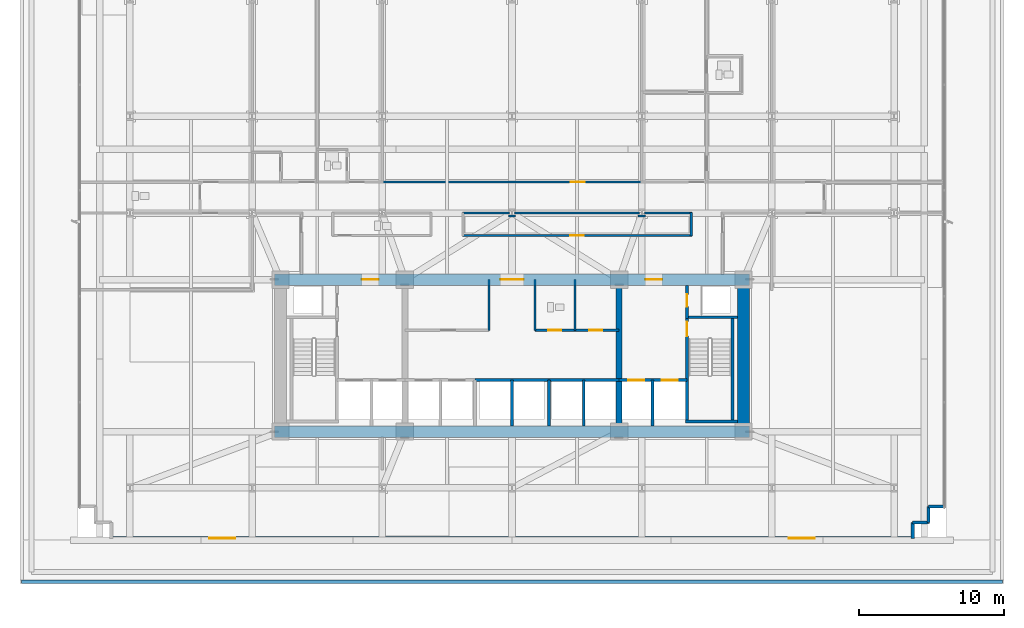
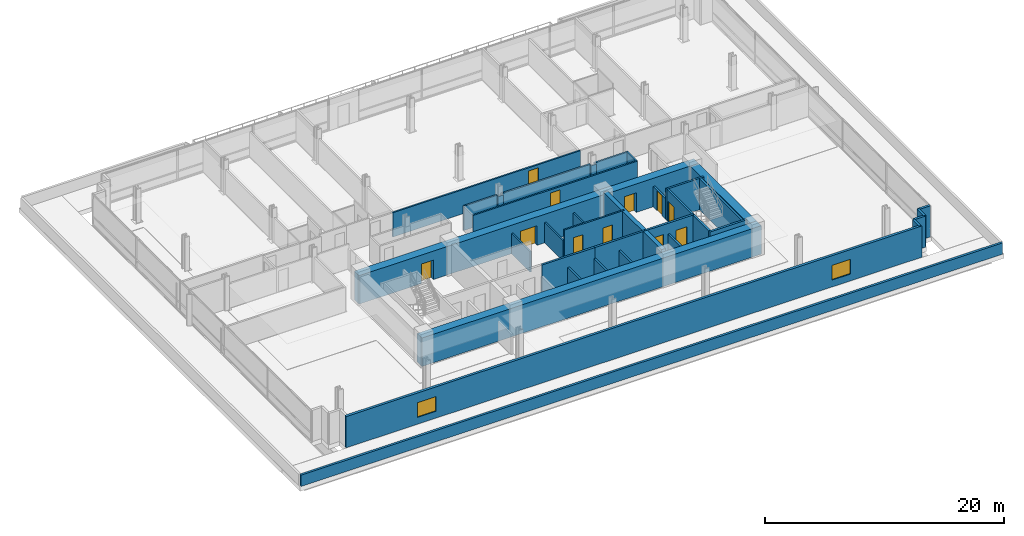
# One storey, part 19 of 25: 34 walls, 11 doors, 2 windows, 13 openings.
"""IFC4 building model written with IfcOpenShell, lengths in metres."""

import ifcopenshell
import ifcopenshell.guid

model = None  # the IFC model being written
_history = None  # IfcOwnerHistory: only IFC2X3 demands one
_inside = {}  # id of a spatial element -> (the spatial element, [elements in it])
_under = {}  # id of a project, library or spatial element -> (it, [spatial elements below it])
_declared = {}  # id of a project -> (the project, [libraries it declares])
_typed = {}  # id of a type object -> (the type object, [elements of that type])
_made_of = {}  # id of a material, layer set ... -> (it, [elements and type objects made of it])


def new_model(schema):
    """Start an empty IFC model of exactly this schema.

    Asked for "IFC4X3", IfcOpenShell would pick the latest addendum, in which some entities
    have other attributes; the version numbers below select the first issue.
    IFC2X3 requires an IfcOwnerHistory on every rooted entity: one is made here for all.
    """
    global model, _history
    if schema == "IFC4X3":
        model = ifcopenshell.file(schema_version=(4, 3, 0, 0))
    else:
        model = ifcopenshell.file(schema=schema)
    _inside.clear()
    _under.clear()
    _declared.clear()
    _typed.clear()
    _made_of.clear()
    _history = None
    if model.schema == "IFC2X3":
        org = make("IfcOrganization", Name="unknown")
        user = make(
            "IfcPersonAndOrganization",
            ThePerson=make("IfcPerson", FamilyName="unknown"),
            TheOrganization=org,
        )
        app = make(
            "IfcApplication",
            ApplicationDeveloper=org,
            Version="unknown",
            ApplicationFullName="unknown",
            ApplicationIdentifier="unknown",
        )
        _history = make(
            "IfcOwnerHistory",
            OwningUser=user,
            OwningApplication=app,
            ChangeAction="ADDED",
            CreationDate=0,
        )
    return model


def make(cls, **values):
    """One entity of the class cls with the attributes given. An attribute that is None is left unset."""
    return model.create_entity(
        cls, **{name: value for name, value in values.items() if value is not None}
    )


def rooted(cls, **values):
    """An entity with a GlobalId (a new one), such as an element, a storey or a relation."""
    return make(cls, GlobalId=ifcopenshell.guid.new(), OwnerHistory=_history, **values)


def si_unit(unit_type, name, prefix=None):
    """IfcSIUnit, for example si_unit("LENGTHUNIT", "METRE", prefix="MILLI")."""
    return make("IfcSIUnit", UnitType=unit_type, Prefix=prefix, Name=name)


def assignment(units):
    """IfcUnitAssignment: the units of a project."""
    return None if units is None else make("IfcUnitAssignment", Units=units)


def point(xyz):
    """IfcCartesianPoint."""
    return None if xyz is None else make("IfcCartesianPoint", Coordinates=xyz)


def direction(xyz):
    """IfcDirection."""
    return None if xyz is None else make("IfcDirection", DirectionRatios=xyz)


def frame(location, z_axis=None, x_axis=None):
    """IfcAxis2Placement3D, a coordinate frame: its origin and axes. An axis left out is left unset."""
    return make(
        "IfcAxis2Placement3D",
        Location=point(location),
        Axis=direction(z_axis),
        RefDirection=direction(x_axis),
    )


def frame_2d(location, x_axis=None):
    """IfcAxis2Placement2D, a coordinate frame in the plane: its origin and x axis."""
    return make(
        "IfcAxis2Placement2D", Location=point(location), RefDirection=direction(x_axis)
    )


def origin():
    """The frame at (0, 0, 0) with its axes left unset."""
    return frame((0.0, 0.0, 0.0))


def place(relative_to, where):
    """IfcLocalPlacement: puts the frame where relative to a parent placement (None: the world)."""
    return make(
        "IfcLocalPlacement", PlacementRelTo=relative_to, RelativePlacement=where
    )


def context(
    kind, dimensions, precision=None, world=None, true_north=None, identifier=None
):
    """IfcGeometricRepresentationContext, for example the 3D "Model" context."""
    return make(
        "IfcGeometricRepresentationContext",
        ContextIdentifier=identifier,
        ContextType=kind,
        CoordinateSpaceDimension=dimensions,
        Precision=precision,
        WorldCoordinateSystem=world,
        TrueNorth=true_north,
    )


def subcontext(parent, identifier, kind, view, scale=None):
    """IfcGeometricRepresentationSubContext, for example "Body" below "Model"."""
    return make(
        "IfcGeometricRepresentationSubContext",
        ContextIdentifier=identifier,
        ContextType=kind,
        ParentContext=parent,
        TargetScale=scale,
        TargetView=view,
    )


def project(units=None, contexts=None):
    """IfcProject with its units and contexts."""
    return rooted(
        "IfcProject",
        Name="project",
        RepresentationContexts=contexts,
        UnitsInContext=assignment(units),
    )


def spatial(cls, under=None, at=None, **own):
    """A site, building, storey or space (cls), placed at a placement, below another one or the project."""
    s = rooted(cls, ObjectPlacement=at, **own)
    if under is not None:
        _under.setdefault(under.id(), (under, []))[1].append(s)
    return s


def profile(cls, at=None, kind="AREA", **sizes):
    """A parametric profile (cls). Its sizes go by their IFC names, for example OverallWidth=200.0."""
    return make(cls, ProfileType=kind, Position=at, **sizes)


def rectangle(**sizes):
    """IfcRectangleProfileDef."""
    return profile("IfcRectangleProfileDef", **sizes)


def extrude(swept, where, along, depth):
    """IfcExtrudedAreaSolid: the profile swept, set in the frame where, extruded along a direction by depth."""
    return make(
        "IfcExtrudedAreaSolid",
        SweptArea=swept,
        Position=where,
        ExtrudedDirection=direction(along),
        Depth=depth,
    )


def shape(context_of_items, identifier, shape_type, items):
    """IfcShapeRepresentation: the items that make up one representation, for example the "Body"."""
    return make(
        "IfcShapeRepresentation",
        ContextOfItems=context_of_items,
        RepresentationIdentifier=identifier,
        RepresentationType=shape_type,
        Items=items,
    )


def material(Name=None, Category=None):
    """IfcMaterial."""
    return make("IfcMaterial", Name=Name, Category=Category)


def layer(
    of_material, thickness, ventilated=None, Name=None, Category=None, Priority=None
):
    """IfcMaterialLayer: one layer of a wall or slab, of a material (None: an air gap)."""
    return make(
        "IfcMaterialLayer",
        Material=of_material,
        LayerThickness=thickness,
        IsVentilated=ventilated,
        Name=Name,
        Category=Category,
        Priority=Priority,
    )


def layer_set(layers, Name=None):
    """IfcMaterialLayerSet."""
    return make("IfcMaterialLayerSet", MaterialLayers=layers, LayerSetName=Name)


def made_of(thing, what):
    """Note that an element or type object is made of a material, layer set ...; save() writes the relation."""
    if what is not None:
        _made_of.setdefault(what.id(), (what, []))[1].append(thing)
    return thing


def type_object(cls, material=None, **own):
    """A type object (cls), such as IfcWallType, which elements share."""
    return made_of(rooted(cls, **own), material)


def element(
    cls,
    number,
    at=None,
    inside=None,
    cuts=None,
    type_object=None,
    material=None,
    context=None,
    identifier="Body",
    shape_type=None,
    held_by="IfcProductDefinitionShape",
    body=None,
    shapes=None,
    **own,
):
    """One element of the class cls, such as IfcWall. Its Tag is "e" and its number.

    at: its placement. inside: the storey or other place that contains it. cuts: it is an
    opening in that element (IfcRelVoidsElement). A single representation is given by context,
    identifier, shape_type and body (its items); several are given by shapes. held_by: the class
    of the entity that holds the representations. save() writes the other relations.
    """
    e = rooted(cls, Tag="e%d" % number, ObjectPlacement=at, **own)
    if body is not None:
        shapes = [shape(context, identifier, shape_type, body)]
    if shapes is not None:
        e.Representation = make(held_by, Representations=shapes)
    if inside is not None:
        _inside.setdefault(inside.id(), (inside, []))[1].append(e)
    if cuts is not None:
        rooted(
            "IfcRelVoidsElement", RelatingBuildingElement=cuts, RelatedOpeningElement=e
        )
    if type_object is not None:
        _typed.setdefault(type_object.id(), (type_object, []))[1].append(e)
    return made_of(e, material)


def fill(opening, filler):
    """IfcRelFillsElement: the door or window that sits in an opening."""
    return rooted(
        "IfcRelFillsElement",
        RelatingOpeningElement=opening,
        RelatedBuildingElement=filler,
    )


def aggregate(whole, parts):
    """IfcRelAggregates: a whole, such as a stair, and the parts it consists of."""
    return rooted("IfcRelAggregates", RelatingObject=whole, RelatedObjects=parts)


def save(model, path):
    """Write the relations noted so far, then the file.

    IfcRelAggregates (storeys below a building ...), IfcRelContainedInSpatialStructure (elements
    in a storey), IfcRelDefinesByType, IfcRelAssociatesMaterial and IfcRelDeclares: one each for
    every whole, place, type object, material and project.
    """
    for whole, parts in _under.values():
        aggregate(whole, parts)
    for where, things in _inside.values():
        rooted(
            "IfcRelContainedInSpatialStructure",
            RelatedElements=things,
            RelatingStructure=where,
        )
    for kind, things in _typed.values():
        rooted("IfcRelDefinesByType", RelatedObjects=things, RelatingType=kind)
    for what, things in _made_of.values():
        rooted("IfcRelAssociatesMaterial", RelatedObjects=things, RelatingMaterial=what)
    for by, libraries in _declared.values():
        rooted("IfcRelDeclares", RelatingContext=by, RelatedDefinitions=libraries)
    model.write(path)


model = new_model("IFC4")

# Units and contexts
model_context = context("Model", 3, precision=1e-05, world=origin(), true_north=direction((0.0, 1.0)))
body_context = subcontext(model_context, "Body", "Model", "MODEL_VIEW")
ifc_project = project(units=[si_unit("LENGTHUNIT", "METRE"), si_unit("AREAUNIT", "SQUARE_METRE"), si_unit("VOLUMEUNIT", "CUBIC_METRE"), si_unit("PLANEANGLEUNIT", "RADIAN"), si_unit("MASSUNIT", "GRAM", prefix="KILO")], contexts=[model_context])

# Site, building, storey
site_placement = place(None, origin())
site = spatial("IfcSite", under=ifc_project, at=site_placement, CompositionType="ELEMENT")
building_placement = place(site_placement, origin())
building = spatial("IfcBuilding", under=site, at=building_placement, Name="Solmavex Isthmus Hotel", CompositionType="ELEMENT")
storey_placement = place(building_placement, frame((0.0, 0.0, 26.39990234375)))
storey = spatial("IfcBuildingStorey", under=building, at=storey_placement, Name="L06", CompositionType="ELEMENT", Elevation=26.39990234375)

# Wall
ifc_material_1 = material(Name="Precast Concrete C40/50", Category="concrete")
ifc_layer_1 = layer(ifc_material_1, 0.219970703125)
ifc_layer_set_1 = layer_set([ifc_layer_1], Name="Precast Concrete C40/50")
wall_type_1 = type_object("IfcWallType", Name="EW-PAR-220", PredefinedType="PARAPET", material=ifc_layer_set_1)
wall_1_placement = place(storey_placement, frame((-33.8798828125, -23.3798828125, 0.0), z_axis=(0.0, 0.0, 1.0), x_axis=(1.0, 0.0, 0.0)))
element("IfcWall", 1, at=wall_1_placement, inside=storey, type_object=wall_type_1, Name="Podium Roof Maintenance Parapet S", PredefinedType="PARAPET", context=body_context, shape_type="SweptSolid", body=[
    extrude(rectangle(XDim=67.759765625, YDim=0.219970703125, at=frame_2d((33.8798828125, 0.0))), origin(), (0.0, 0.0, 1.0), 1.150146484375),
])

# Wall, openings, windows
ifc_layer_2 = layer(ifc_material_1, 0.25)
ifc_layer_set_2 = layer_set([ifc_layer_2], Name="Precast Concrete C40/50")
wall_type_2 = type_object("IfcWallType", Name="EW-TWR-250", PredefinedType="STANDARD", material=ifc_layer_set_2)
wall_2_placement = place(storey_placement, frame((-27.800048828125, -20.3798828125, 0.0), z_axis=(0.0, 0.0, 1.0), x_axis=(1.0, 0.0, 0.0)))
wall_2 = element("IfcWall", 2, at=wall_2_placement, inside=storey, type_object=wall_type_2, Name="Tower Rear South Facade Wall L06", PredefinedType="STANDARD", context=body_context, shape_type="SweptSolid", body=[
    extrude(rectangle(XDim=55.60009765625, YDim=0.239990234375, at=frame_2d((27.800048828125, 0.0))), origin(), (0.0, 0.0, 1.0), 3.190185546875),
])
opening_1_placement = place(wall_2_placement, frame((6.884033203125, 0.0, 0.699951171875)))
opening_1 = element("IfcOpeningElement", 3, at=opening_1_placement, cuts=wall_2, Name="Opening WN-02", PredefinedType="OPENING", context=body_context, shape_type="SweptSolid", body=[
    extrude(rectangle(XDim=1.800048828125, YDim=1.5, at=frame_2d((0.89990234375, 0.75))), frame((0.0, 0.1298828125, 0.0), z_axis=(0.0, -1.0, 0.0), x_axis=(1.0, 0.0, 0.0)), (0.0, 0.0, 1.0), 0.260009765625),
])
opening_2_placement = place(wall_2_placement, frame((46.916015625, 0.0, 0.699951171875)))
opening_2 = element("IfcOpeningElement", 4, at=opening_2_placement, cuts=wall_2, Name="Opening WN-02", PredefinedType="OPENING", context=body_context, shape_type="SweptSolid", body=[
    extrude(rectangle(XDim=1.800048828125, YDim=1.5, at=frame_2d((0.89990234375, 0.75))), frame((0.0, 0.1298828125, 0.0), z_axis=(0.0, -1.0, 0.0), x_axis=(1.0, 0.0, 0.0)), (0.0, 0.0, 1.0), 0.260009765625),
])
ifc_material_2 = material(Name="Clear low-E laminated glass", Category="glass")
window_type = type_object("IfcWindowType", Name="WIN-TWR-1800", PartitioningType="SINGLE_PANEL", PredefinedType="WINDOW", material=ifc_material_2)
window_1_placement = place(opening_1_placement, origin())
window_1 = element("IfcWindow", 5, at=window_1_placement, inside=storey, type_object=window_type, Name="South Facade Vision Window L06-S1", OverallHeight=1.5, OverallWidth=1.800048828125, PartitioningType="SINGLE_PANEL", PredefinedType="WINDOW", context=body_context, shape_type="SweptSolid", body=[
    extrude(rectangle(XDim=1.800048828125, YDim=1.5, at=frame_2d((0.89990234375, 0.75))), frame((0.0, 0.030029296875, 0.0), z_axis=(0.0, -1.0, 0.0), x_axis=(1.0, 0.0, 0.0)), (0.0, 0.0, 1.0), 0.06005859375),
])
fill(opening_1, window_1)
window_2_placement = place(opening_2_placement, origin())
window_2 = element("IfcWindow", 6, at=window_2_placement, inside=storey, type_object=window_type, Name="South Facade Vision Window L06-S2", OverallHeight=1.5, OverallWidth=1.800048828125, PartitioningType="SINGLE_PANEL", PredefinedType="WINDOW", context=body_context, shape_type="SweptSolid", body=[
    extrude(rectangle(XDim=1.800048828125, YDim=1.5, at=frame_2d((0.89990234375, 0.75))), frame((0.0, 0.030029296875, 0.0), z_axis=(0.0, -1.0, 0.0), x_axis=(1.0, 0.0, 0.0)), (0.0, 0.0, 1.0), 0.06005859375),
])
fill(opening_2, window_2)

# Walls
wall_3_placement = place(storey_placement, frame((29.889892578125, -18.18994140625, 0.0), z_axis=(0.0, 0.0, 1.0), x_axis=(-1.0, 0.0, 0.0)))
element("IfcWall", 7, at=wall_3_placement, inside=storey, type_object=wall_type_2, Name="Serrated Corner Facade Panel L06-16", PredefinedType="STANDARD", context=body_context, shape_type="SweptSolid", body=[
    extrude(rectangle(XDim=1.099853515625, YDim=0.219970703125, at=frame_2d((0.5498046875, 0.0))), origin(), (0.0, 0.0, 1.0), 3.190185546875),
])
for number, where, z_axis, x_axis, name in (
    (8, (28.7900390625, -18.18994140625, 0.0), (0.0, 0.0, 1.0), (0.0, -1.0, 0.0), "Serrated Corner Facade Panel L06-17"),
    (9, (28.7900390625, -19.2900390625, 0.0), (0.0, 0.0, 1.0), (-1.0, 0.0, 0.0), "Serrated Corner Facade Panel L06-18"),
):
    element("IfcWall", number, at=place(storey_placement, frame(where, z_axis=z_axis, x_axis=x_axis)), inside=storey, type_object=wall_type_2, Name=name, PredefinedType="STANDARD", context=body_context, shape_type="SweptSolid", body=[
        extrude(rectangle(XDim=1.10009765625, YDim=0.219970703125, at=frame_2d((0.550048828125, 0.0))), origin(), (0.0, 0.0, 1.0), 3.190185546875),
    ])
wall_4_placement = place(storey_placement, frame((27.68994140625, -19.2900390625, 0.0), z_axis=(0.0, 0.0, 1.0), x_axis=(0.0, -1.0, 0.0)))
element("IfcWall", 10, at=wall_4_placement, inside=storey, type_object=wall_type_2, Name="Serrated Corner Facade Panel L06-19", PredefinedType="STANDARD", context=body_context, shape_type="SweptSolid", body=[
    extrude(rectangle(XDim=1.099853515625, YDim=0.219970703125, at=frame_2d((0.5498046875, 0.0))), origin(), (0.0, 0.0, 1.0), 3.190185546875),
])
ifc_material_3 = material(Name="Gypsum plasterboard lining", Category="gypsum")
ifc_layer_3 = layer(ifc_material_3, 0.14990234375)
ifc_layer_set_3 = layer_set([ifc_layer_3], Name="Gypsum plasterboard lining")
wall_type_3 = type_object("IfcWallType", Name="IW-CORR-150", PredefinedType="PARTITIONING", material=ifc_layer_set_3)
wall_5_placement = place(storey_placement, frame((-1.60009765625, -6.0, 0.0), z_axis=(0.0, 0.0, 1.0), x_axis=(0.0, 1.0, 0.0)))
element("IfcWall", 11, at=wall_5_placement, inside=storey, type_object=wall_type_3, Name="Interior Partition Wall W-L06-BOH-WE", PredefinedType="PARTITIONING", context=body_context, shape_type="SweptSolid", body=[
    extrude(rectangle(XDim=3.5, YDim=0.14990234375, at=frame_2d((1.75, 0.0))), origin(), (0.0, 0.0, 1.0), 2.0751953125),
])

# Wall, openings, doors
wall_6_placement = place(storey_placement, frame((1.60009765625, -6.0, 0.0), z_axis=(0.0, 0.0, 1.0), x_axis=(1.0, 0.0, 0.0)))
wall_6 = element("IfcWall", 12, at=wall_6_placement, inside=storey, type_object=wall_type_3, Name="Interior Partition Wall W-L06-BOH-ES", PredefinedType="PARTITIONING", context=body_context, shape_type="SweptSolid", body=[
    extrude(rectangle(XDim=5.7998046875, YDim=0.14990234375, at=frame_2d((2.89990234375, 0.0))), origin(), (0.0, 0.0, 1.0), 3.190185546875),
])
opening_3_placement = place(wall_6_placement, frame((0.89990234375, 0.0, 0.0)))
opening_3 = element("IfcOpeningElement", 13, at=opening_3_placement, cuts=wall_6, Name="Opening ID-C090", PredefinedType="OPENING", context=body_context, shape_type="SweptSolid", body=[
    extrude(rectangle(XDim=0.89990234375, YDim=2.10009765625, at=frame_2d((0.449951171875, 1.050048828125))), frame((0.0, 0.0849609375, 0.0), z_axis=(0.0, -1.0, 0.0), x_axis=(1.0, 0.0, 0.0)), (0.0, 0.0, 1.0), 0.169921875),
])
opening_4_placement = place(wall_6_placement, frame((3.75, 0.0, 0.0)))
opening_4 = element("IfcOpeningElement", 14, at=opening_4_placement, cuts=wall_6, Name="Opening ID-C090", PredefinedType="OPENING", context=body_context, shape_type="SweptSolid", body=[
    extrude(rectangle(XDim=0.89990234375, YDim=2.10009765625, at=frame_2d((0.449951171875, 1.050048828125))), frame((0.0, 0.0849609375, 0.0), z_axis=(0.0, -1.0, 0.0), x_axis=(1.0, 0.0, 0.0)), (0.0, 0.0, 1.0), 0.169921875),
])
ifc_material_4 = material(Name="Hardwood timber", Category="wood")
door_type_1 = type_object("IfcDoorType", Name="IDR-FD60-0900", OperationType="NOTDEFINED", PredefinedType="DOOR", material=ifc_material_4)
door_1_placement = place(opening_3_placement, frame((0.89990234375, 0.0, 0.0), z_axis=(0.0, 0.0, 1.0), x_axis=(-1.0, 0.0, 0.0)))
door_1 = element("IfcDoor", 15, at=door_1_placement, inside=storey, type_object=door_type_1, Name="Staff WC Door L06", OperationType="SINGLE_SWING_RIGHT", OverallHeight=2.10009765625, OverallWidth=0.89990234375, PredefinedType="DOOR", context=body_context, shape_type="SweptSolid", body=[
    extrude(rectangle(XDim=0.89990234375, YDim=2.10009765625, at=frame_2d((0.449951171875, 1.050048828125))), frame((0.0, 0.02490234375, 0.0), z_axis=(0.0, -1.0, 0.0), x_axis=(1.0, 0.0, 0.0)), (0.0, 0.0, 1.0), 0.050048828125),
])
fill(opening_3, door_1)
door_2_placement = place(opening_4_placement, frame((0.89990234375, 0.0, 0.0), z_axis=(0.0, 0.0, 1.0), x_axis=(-1.0, 0.0, 0.0)))
door_2 = element("IfcDoor", 16, at=door_2_placement, inside=storey, type_object=door_type_1, Name="Pantry Door L06", OperationType="SINGLE_SWING_LEFT", OverallHeight=2.10009765625, OverallWidth=0.89990234375, PredefinedType="DOOR", context=body_context, shape_type="SweptSolid", body=[
    extrude(rectangle(XDim=0.89990234375, YDim=2.10009765625, at=frame_2d((0.449951171875, 1.050048828125))), frame((0.0, 0.02490234375, 0.0), z_axis=(0.0, -1.0, 0.0), x_axis=(1.0, 0.0, 0.0)), (0.0, 0.0, 1.0), 0.050048828125),
])
fill(opening_4, door_2)

# Wall
wall_7_placement = place(storey_placement, frame((1.60009765625, -6.0, 0.0), z_axis=(0.0, 0.0, 1.0), x_axis=(0.0, 1.0, 0.0)))
element("IfcWall", 17, at=wall_7_placement, inside=storey, type_object=wall_type_3, Name="Interior Partition Wall W-L06-BOH-EW", PredefinedType="PARTITIONING", context=body_context, shape_type="SweptSolid", body=[
    extrude(rectangle(XDim=3.5, YDim=0.14990234375, at=frame_2d((1.75, 0.0))), origin(), (0.0, 0.0, 1.0), 2.0751953125),
])

# Wall, opening, door
wall_8_placement = place(storey_placement, frame((-9.05810546875, 4.25, 0.0), z_axis=(0.0, 0.0, 1.0), x_axis=(1.0, 0.0, 0.0)))
wall_8 = element("IfcWall", 18, at=wall_8_placement, inside=storey, type_object=wall_type_3, Name="Interior Partition Wall W-L06-P006", PredefinedType="PARTITIONING", context=body_context, shape_type="SweptSolid", body=[
    extrude(rectangle(XDim=18.1162109375, YDim=0.14990234375, at=frame_2d((9.05810546875, 0.0))), origin(), (0.0, 0.0, 1.0), 2.4794921875),
])
opening_5_placement = place(wall_8_placement, frame((13.128173828125, 0.0, 0.0)))
opening_5 = element("IfcOpeningElement", 19, at=opening_5_placement, cuts=wall_8, Name="Opening ID-C095", PredefinedType="OPENING", context=body_context, shape_type="SweptSolid", body=[
    extrude(rectangle(XDim=0.949951171875, YDim=2.14990234375, at=frame_2d((0.47509765625, 1.074951171875))), frame((0.0, 0.0849609375, 0.0), z_axis=(0.0, -1.0, 0.0), x_axis=(1.0, 0.0, 0.0)), (0.0, 0.0, 1.0), 0.169921875),
])
door_type_2 = type_object("IfcDoorType", Name="IDR-FD60-0950", OperationType="NOTDEFINED", PredefinedType="DOOR", material=ifc_material_4)
door_3_placement = place(opening_5_placement, origin())
door_3 = element("IfcDoor", 20, at=door_3_placement, inside=storey, type_object=door_type_2, Name="Corporate Briefing Office Door L06-06", OperationType="SINGLE_SWING_RIGHT", OverallHeight=2.14990234375, OverallWidth=0.949951171875, PredefinedType="DOOR", context=body_context, shape_type="SweptSolid", body=[
    extrude(rectangle(XDim=0.949951171875, YDim=2.14990234375, at=frame_2d((0.47509765625, 1.074951171875))), frame((0.0, 0.02490234375, 0.0), z_axis=(0.0, -1.0, 0.0), x_axis=(1.0, 0.0, 0.0)), (0.0, 0.0, 1.0), 0.050048828125),
])
fill(opening_5, door_3)

# Walls
wall_9_placement = place(storey_placement, frame((0.2548828125, 1.885009765625, 0.0), z_axis=(0.0, 0.0, 1.0), x_axis=(-1.0, 0.0, 0.0)))
element("IfcWall", 21, at=wall_9_placement, inside=storey, type_object=wall_type_3, Name="Interior Partition Wall W-L06-P018", PredefinedType="PARTITIONING", context=body_context, shape_type="SweptSolid", body=[
    extrude(rectangle(XDim=0.509765625, YDim=0.14990234375, at=frame_2d((0.2548828125, 0.0))), origin(), (0.0, 0.0, 1.0), 2.4794921875),
])
wall_10_placement = place(storey_placement, frame((-0.175048828125, 2.10009765625, 0.0), z_axis=(0.0, 0.0, 1.0), x_axis=(-1.0, 0.0, 0.0)))
element("IfcWall", 22, at=wall_10_placement, inside=storey, type_object=wall_type_3, Name="Interior Partition Wall W-L06-P019", PredefinedType="PARTITIONING", context=body_context, shape_type="SweptSolid", body=[
    extrude(rectangle(XDim=3.2529296875, YDim=0.14990234375, at=frame_2d((1.62646484375, 0.0))), origin(), (0.0, 0.0, 1.0), 2.4794921875),
])

# Wall, opening, door
wall_11_placement = place(storey_placement, frame((-3.427978515625, 0.550048828125, 0.0), z_axis=(0.0, 0.0, 1.0), x_axis=(1.0, 0.0, 0.0)))
wall_11 = element("IfcWall", 23, at=wall_11_placement, inside=storey, type_object=wall_type_3, Name="Interior Partition Wall W-L06-P021", PredefinedType="PARTITIONING", context=body_context, shape_type="SweptSolid", body=[
    extrude(rectangle(XDim=15.85205078125, YDim=0.14990234375, at=frame_2d((7.926025390625, 0.0))), origin(), (0.0, 0.0, 1.0), 2.4794921875),
])
opening_6_placement = place(wall_11_placement, frame((7.450927734375, 0.0, 0.0)))
opening_6 = element("IfcOpeningElement", 24, at=opening_6_placement, cuts=wall_11, Name="Opening ID-C095", PredefinedType="OPENING", context=body_context, shape_type="SweptSolid", body=[
    extrude(rectangle(XDim=0.949951171875, YDim=2.14990234375, at=frame_2d((0.47509765625, 1.074951171875))), frame((0.0, 0.0849609375, 0.0), z_axis=(0.0, -1.0, 0.0), x_axis=(1.0, 0.0, 0.0)), (0.0, 0.0, 1.0), 0.169921875),
])
door_4_placement = place(opening_6_placement, origin())
door_4 = element("IfcDoor", 25, at=door_4_placement, inside=storey, type_object=door_type_2, Name="Concierge Study Room Door L06-15", OperationType="SINGLE_SWING_LEFT", OverallHeight=2.14990234375, OverallWidth=0.949951171875, PredefinedType="DOOR", context=body_context, shape_type="SweptSolid", body=[
    extrude(rectangle(XDim=0.949951171875, YDim=2.14990234375, at=frame_2d((0.47509765625, 1.074951171875))), frame((0.0, 0.02490234375, 0.0), z_axis=(0.0, -1.0, 0.0), x_axis=(1.0, 0.0, 0.0)), (0.0, 0.0, 1.0), 0.050048828125),
])
fill(opening_6, door_4)

# Walls
wall_12_placement = place(storey_placement, frame((12.384033203125, 0.510009765625, 0.0), z_axis=(0.0, 0.0, 1.0), x_axis=(0.0, 1.0, 0.0)))
element("IfcWall", 26, at=wall_12_placement, inside=storey, type_object=wall_type_3, Name="Interior Partition Wall W-L06-P022", PredefinedType="PARTITIONING", context=body_context, shape_type="SweptSolid", body=[
    extrude(rectangle(XDim=1.6298828125, YDim=0.14990234375, at=frame_2d((0.81494140625, 0.0))), origin(), (0.0, 0.0, 1.0), 2.4794921875),
])
wall_13_placement = place(storey_placement, frame((12.424072265625, 2.10009765625, 0.0), z_axis=(0.0, 0.0, 1.0), x_axis=(-1.0, 0.0, 0.0)))
element("IfcWall", 27, at=wall_13_placement, inside=storey, type_object=wall_type_3, Name="Interior Partition Wall W-L06-P023", PredefinedType="PARTITIONING", context=body_context, shape_type="SweptSolid", body=[
    extrude(rectangle(XDim=3.273193359375, YDim=0.14990234375, at=frame_2d((1.63671875, 0.0))), origin(), (0.0, 0.0, 1.0), 2.4794921875),
])
wall_14_placement = place(storey_placement, frame((9.23095703125, 1.885009765625, 0.0), z_axis=(0.0, 0.0, 1.0), x_axis=(-1.0, 0.0, 0.0)))
element("IfcWall", 28, at=wall_14_placement, inside=storey, type_object=wall_type_3, Name="Interior Partition Wall W-L06-P024", PredefinedType="PARTITIONING", context=body_context, shape_type="SweptSolid", body=[
    extrude(rectangle(XDim=0.510009765625, YDim=0.14990234375, at=frame_2d((0.2548828125, 0.0))), origin(), (0.0, 0.0, 1.0), 2.4794921875),
])
wall_15_placement = place(storey_placement, frame((8.801025390625, 2.10009765625, 0.0), z_axis=(0.0, 0.0, 1.0), x_axis=(-1.0, 0.0, 0.0)))
element("IfcWall", 29, at=wall_15_placement, inside=storey, type_object=wall_type_3, Name="Interior Partition Wall W-L06-P025", PredefinedType="PARTITIONING", context=body_context, shape_type="SweptSolid", body=[
    extrude(rectangle(XDim=8.6259765625, YDim=0.14990234375, at=frame_2d((4.31298828125, 0.0))), origin(), (0.0, 0.0, 1.0), 2.4794921875),
])
ifc_layer_4 = layer(ifc_material_3, 0.1201171875)
ifc_layer_set_4 = layer_set([ifc_layer_4], Name="Gypsum plasterboard lining")
wall_type_4 = type_object("IfcWallType", Name="IW-PART-120", PredefinedType="PARTITIONING", material=ifc_layer_set_4)
wall_16_placement = place(storey_placement, frame((4.35009765625, -6.0, 0.0), z_axis=(0.0, 0.0, 1.0), x_axis=(0.0, 1.0, 0.0)))
element("IfcWall", 30, at=wall_16_placement, inside=storey, type_object=wall_type_4, Name="Interior Partition Wall W-L06-BOH-EM0", PredefinedType="PARTITIONING", context=body_context, shape_type="SweptSolid", body=[
    extrude(rectangle(XDim=3.5, YDim=0.14990234375, at=frame_2d((1.75, 0.0))), origin(), (0.0, 0.0, 1.0), 2.0751953125),
])
ifc_material_5 = material(Name="Concrete C40/50", Category="concrete")
ifc_layer_5 = layer(ifc_material_5, 0.179931640625)
ifc_layer_set_5 = layer_set([ifc_layer_5], Name="Concrete C40/50")
wall_type_5 = type_object("IfcWallType", Name="IW-SHAFT-180", PredefinedType="PARTITIONING", material=ifc_layer_set_5)
for number, where, z_axis, x_axis, name in (
    (31, (0.0, -12.60009765625, 0.0), (0.0, 0.0, 1.0), (0.0, 1.0, 0.0), "Interior Partition Wall W-L06-SH-PLM-M"),
    (32, (4.949951171875, -12.60009765625, 0.0), (0.0, 0.0, 1.0), (0.0, 1.0, 0.0), "Interior Partition Wall W-L06-SH-PLH-M"),
):
    element("IfcWall", number, at=place(storey_placement, frame(where, z_axis=z_axis, x_axis=x_axis)), inside=storey, type_object=wall_type_5, Name=name, PredefinedType="PARTITIONING", context=body_context, shape_type="SweptSolid", body=[
        extrude(rectangle(XDim=3.150146484375, YDim=0.179931640625, at=frame_2d((1.5751953125, 0.0))), origin(), (0.0, 0.0, 1.0), 2.0751953125),
    ])

# Wall, opening, door
ifc_layer_6 = layer(ifc_material_5, 0.199951171875)
ifc_layer_set_6 = layer_set([ifc_layer_6], Name="Concrete C40/50")
wall_type_6 = type_object("IfcWallType", Name="IW-SHAFT-200", PredefinedType="PARTITIONING", material=ifc_layer_set_6)
wall_17_placement = place(storey_placement, frame((12.10009765625, -5.199951171875, 0.0), z_axis=(0.0, 0.0, 1.0), x_axis=(0.0, 1.0, 0.0)))
wall_17 = element("IfcWall", 33, at=wall_17_placement, inside=storey, type_object=wall_type_6, Name="Interior Partition Wall W-L06-RSE-W", PredefinedType="PARTITIONING", context=body_context, shape_type="SweptSolid", body=[
    extrude(rectangle(XDim=2.300048828125, YDim=0.199951171875, at=frame_2d((1.14990234375, 0.0))), origin(), (0.0, 0.0, 1.0), 2.0751953125),
])
opening_7_placement = place(wall_17_placement, frame((0.824951171875, 0.0, 0.0)))
opening_7 = element("IfcOpeningElement", 34, at=opening_7_placement, cuts=wall_17, Name="Opening ID-R085", PredefinedType="OPENING", context=body_context, shape_type="SweptSolid", body=[
    extrude(rectangle(XDim=0.85009765625, YDim=2.050048828125, at=frame_2d((0.425048828125, 1.02490234375))), frame((0.0, 0.10986328125, 0.0), z_axis=(0.0, -1.0, 0.0), x_axis=(1.0, 0.0, 0.0)), (0.0, 0.0, 1.0), 0.219970703125),
])
ifc_material_6 = material(Name="Steel ASTM A500 Grade C", Category="steel")
door_type_3 = type_object("IfcDoorType", Name="IDR-FD60-0850", OperationType="NOTDEFINED", PredefinedType="DOOR", material=ifc_material_6)
door_5_placement = place(opening_7_placement, frame((0.85009765625, 0.0, 0.0), z_axis=(0.0, 0.0, 1.0), x_axis=(-1.0, 0.0, 0.0)))
door_5 = element("IfcDoor", 35, at=door_5_placement, inside=storey, type_object=door_type_3, Name="Mechanical Riser Door L06", OperationType="SINGLE_SWING_LEFT", OverallHeight=2.050048828125, OverallWidth=0.85009765625, PredefinedType="DOOR", context=body_context, shape_type="SweptSolid", body=[
    extrude(rectangle(XDim=0.85009765625, YDim=2.050048828125, at=frame_2d((0.425048828125, 1.02490234375))), frame((0.0, 0.02490234375, 0.0), z_axis=(0.0, -1.0, 0.0), x_axis=(1.0, 0.0, 0.0)), (0.0, 0.0, 1.0), 0.050048828125),
])
fill(opening_7, door_5)

# Wall, openings, doors
wall_18_placement = place(storey_placement, frame((7.39990234375, -9.449951171875, 0.0), z_axis=(0.0, 0.0, 1.0), x_axis=(1.0, 0.0, 0.0)))
wall_18 = element("IfcWall", 36, at=wall_18_placement, inside=storey, type_object=wall_type_6, Name="Interior Partition Wall W-L06-FFLE-S", PredefinedType="PARTITIONING", context=body_context, shape_type="SweptSolid", body=[
    extrude(rectangle(XDim=4.7001953125, YDim=0.199951171875, at=frame_2d((2.35009765625, 0.0))), origin(), (0.0, 0.0, 1.0), 3.190185546875),
])
opening_8_placement = place(wall_18_placement, frame((2.949951171875, 0.0, 0.0)))
opening_8 = element("IfcOpeningElement", 37, at=opening_8_placement, cuts=wall_18, Name="Opening LD-FF", PredefinedType="OPENING", context=body_context, shape_type="SweptSolid", body=[
    extrude(rectangle(XDim=1.10009765625, YDim=2.199951171875, at=frame_2d((0.550048828125, 1.10009765625))), frame((0.0, 0.10986328125, 0.0), z_axis=(0.0, -1.0, 0.0), x_axis=(1.0, 0.0, 0.0)), (0.0, 0.0, 1.0), 0.219970703125),
])
opening_9_placement = place(wall_18_placement, frame((0.64990234375, 0.0, 0.0)))
opening_9 = element("IfcOpeningElement", 38, at=opening_9_placement, cuts=wall_18, Name="Opening LD-SV", PredefinedType="OPENING", context=body_context, shape_type="SweptSolid", body=[
    extrude(rectangle(XDim=1.10009765625, YDim=2.199951171875, at=frame_2d((0.550048828125, 1.10009765625))), frame((0.0, 0.10986328125, 0.0), z_axis=(0.0, -1.0, 0.0), x_axis=(1.0, 0.0, 0.0)), (0.0, 0.0, 1.0), 0.219970703125),
])
ifc_material_7 = material(Name="Stainless steel 316", Category="steel")
door_type_4 = type_object("IfcDoorType", Name="LDR-FF-1100", OperationType="NOTDEFINED", PredefinedType="DOOR", material=ifc_material_7)
door_6_placement = place(opening_8_placement, origin())
door_6 = element("IfcDoor", 39, at=door_6_placement, inside=storey, type_object=door_type_4, Name="Lift Landing Door FFL-2 L06", OperationType="SLIDING_TO_LEFT", OverallHeight=2.199951171875, OverallWidth=1.10009765625, PredefinedType="DOOR", context=body_context, shape_type="SweptSolid", body=[
    extrude(rectangle(XDim=1.10009765625, YDim=2.199951171875, at=frame_2d((0.550048828125, 1.10009765625))), frame((0.0, 0.02490234375, 0.0), z_axis=(0.0, -1.0, 0.0), x_axis=(1.0, 0.0, 0.0)), (0.0, 0.0, 1.0), 0.050048828125),
])
fill(opening_8, door_6)
door_type_5 = type_object("IfcDoorType", Name="LDR-SV-1100", OperationType="NOTDEFINED", PredefinedType="DOOR", material=ifc_material_7)
door_7_placement = place(opening_9_placement, origin())
door_7 = element("IfcDoor", 40, at=door_7_placement, inside=storey, type_object=door_type_5, Name="Lift Landing Door SVL-2 L06", OperationType="SLIDING_TO_RIGHT", OverallHeight=2.199951171875, OverallWidth=1.10009765625, PredefinedType="DOOR", context=body_context, shape_type="SweptSolid", body=[
    extrude(rectangle(XDim=1.10009765625, YDim=2.199951171875, at=frame_2d((0.550048828125, 1.10009765625))), frame((0.0, 0.02490234375, 0.0), z_axis=(0.0, -1.0, 0.0), x_axis=(1.0, 0.0, 0.0)), (0.0, 0.0, 1.0), 0.050048828125),
])
fill(opening_9, door_7)

# Walls
wall_19_placement = place(storey_placement, frame((9.699951171875, -12.60009765625, 0.0), z_axis=(0.0, 0.0, 1.0), x_axis=(0.0, 1.0, 0.0)))
element("IfcWall", 41, at=wall_19_placement, inside=storey, type_object=wall_type_6, Name="Interior Partition Wall W-L06-FFLE-M", PredefinedType="PARTITIONING", context=body_context, shape_type="SweptSolid", body=[
    extrude(rectangle(XDim=3.150146484375, YDim=0.199951171875, at=frame_2d((1.5751953125, 0.0))), origin(), (0.0, 0.0, 1.0), 2.0751953125),
])
wall_20_placement = place(storey_placement, frame((-2.550048828125, -9.449951171875, 0.0), z_axis=(0.0, 0.0, 1.0), x_axis=(1.0, 0.0, 0.0)))
element("IfcWall", 42, at=wall_20_placement, inside=storey, type_object=wall_type_6, Name="Interior Partition Wall W-L06-SH-PLM", PredefinedType="PARTITIONING", context=body_context, shape_type="SweptSolid", body=[
    extrude(rectangle(XDim=5.10009765625, YDim=0.199951171875, at=frame_2d((2.550048828125, 0.0))), origin(), (0.0, 0.0, 1.0), 3.190185546875),
])
wall_21_placement = place(storey_placement, frame((2.550048828125, -12.60009765625, 0.0), z_axis=(0.0, 0.0, 1.0), x_axis=(0.0, 1.0, 0.0)))
element("IfcWall", 43, at=wall_21_placement, inside=storey, type_object=wall_type_6, Name="Interior Partition Wall W-L06-SH-PLM-E", PredefinedType="PARTITIONING", context=body_context, shape_type="SweptSolid", body=[
    extrude(rectangle(XDim=3.150146484375, YDim=0.199951171875, at=frame_2d((1.5751953125, 0.0))), origin(), (0.0, 0.0, 1.0), 2.0751953125),
])
wall_22_placement = place(storey_placement, frame((2.550048828125, -9.449951171875, 0.0), z_axis=(0.0, 0.0, 1.0), x_axis=(1.0, 0.0, 0.0)))
element("IfcWall", 44, at=wall_22_placement, inside=storey, type_object=wall_type_6, Name="Interior Partition Wall W-L06-SH-PLH", PredefinedType="PARTITIONING", context=body_context, shape_type="SweptSolid", body=[
    extrude(rectangle(XDim=4.849853515625, YDim=0.199951171875, at=frame_2d((2.4248046875, 0.0))), origin(), (0.0, 0.0, 1.0), 3.190185546875),
])
ifc_material_8 = material(Name="Concrete C70/85", Category="concrete")
ifc_layer_7 = layer(ifc_material_8, 0.39990234375)
ifc_layer_set_7 = layer_set([ifc_layer_7], Name="Concrete C70/85")
wall_type_7 = type_object("IfcWallType", Name="WALL-CW-400L", PredefinedType="SHEAR", material=ifc_layer_set_7)
wall_23_placement = place(storey_placement, frame((7.39990234375, -12.60009765625, 0.0), z_axis=(0.0, 0.0, 1.0), x_axis=(0.0, 1.0, 0.0)))
element("IfcWall", 45, at=wall_23_placement, inside=storey, type_object=wall_type_7, Name="Core Cross Shear Wall C2 L06", PredefinedType="SHEAR", context=body_context, shape_type="SweptSolid", body=[
    extrude(rectangle(XDim=9.7001953125, YDim=0.39990234375, at=frame_2d((4.85009765625, 0.0))), origin(), (0.0, 0.0, 1.0), 3.190185546875),
])
ifc_layer_8 = layer(ifc_material_8, 0.800048828125)
ifc_layer_set_8 = layer_set([ifc_layer_8], Name="Concrete C70/85")
wall_type_8 = type_object("IfcWallType", Name="WALL-CW-800", PredefinedType="SHEAR", material=ifc_layer_set_8)
wall_24_placement = place(storey_placement, frame((-16.39990234375, -13.0, 0.0), z_axis=(0.0, 0.0, 1.0), x_axis=(1.0, 0.0, 0.0)))
element("IfcWall", 46, at=wall_24_placement, inside=storey, type_object=wall_type_8, Name="Core Shear Wall South L06", PredefinedType="SHEAR", context=body_context, shape_type="SweptSolid", body=[
    extrude(rectangle(XDim=32.7998046875, YDim=0.800048828125, at=frame_2d((16.39990234375, 0.0))), origin(), (0.0, 0.0, 1.0), 2.91015625),
])

# Wall, openings, doors
wall_25_placement = place(storey_placement, frame((-16.39990234375, -2.5, 0.0), z_axis=(0.0, 0.0, 1.0), x_axis=(1.0, 0.0, 0.0)))
wall_25 = element("IfcWall", 47, at=wall_25_placement, inside=storey, type_object=wall_type_8, Name="Core Shear Wall North L06", PredefinedType="SHEAR", context=body_context, shape_type="SweptSolid", body=[
    extrude(rectangle(XDim=32.7998046875, YDim=0.800048828125, at=frame_2d((16.39990234375, 0.0))), origin(), (0.0, 0.0, 1.0), 2.91015625),
])
opening_10_placement = place(wall_25_placement, frame((6.02490234375, 0.0, 0.0)))
opening_10 = element("IfcOpeningElement", 48, at=opening_10_placement, cuts=wall_25, Name="Opening ID-F915", PredefinedType="OPENING", context=body_context, shape_type="SweptSolid", body=[
    extrude(rectangle(XDim=1.14990234375, YDim=2.0, at=frame_2d((0.574951171875, 1.0))), frame((0.0, 0.409912109375, 0.0), z_axis=(0.0, -1.0, 0.0), x_axis=(1.0, 0.0, 0.0)), (0.0, 0.0, 1.0), 0.820068359375),
])
opening_11_placement = place(wall_25_placement, frame((15.60009765625, 0.0, 0.0)))
opening_11 = element("IfcOpeningElement", 49, at=opening_11_placement, cuts=wall_25, Name="Opening ID-F960", PredefinedType="OPENING", context=body_context, shape_type="SweptSolid", body=[
    extrude(rectangle(XDim=1.60009765625, YDim=2.0, at=frame_2d((0.800048828125, 1.0))), frame((0.0, 0.409912109375, 0.0), z_axis=(0.0, -1.0, 0.0), x_axis=(1.0, 0.0, 0.0)), (0.0, 0.0, 1.0), 0.820068359375),
])
opening_12_placement = place(wall_25_placement, frame((25.625, 0.0, 0.0)))
opening_12 = element("IfcOpeningElement", 50, at=opening_12_placement, cuts=wall_25, Name="Opening ID-F915", PredefinedType="OPENING", context=body_context, shape_type="SweptSolid", body=[
    extrude(rectangle(XDim=1.14990234375, YDim=2.0, at=frame_2d((0.574951171875, 1.0))), frame((0.0, 0.409912109375, 0.0), z_axis=(0.0, -1.0, 0.0), x_axis=(1.0, 0.0, 0.0)), (0.0, 0.0, 1.0), 0.820068359375),
])
door_type_6 = type_object("IfcDoorType", Name="IDR-FD90-1150C", OperationType="NOTDEFINED", PredefinedType="DOOR", material=ifc_material_6)
door_8_placement = place(opening_10_placement, origin())
door_8 = element("IfcDoor", 51, at=door_8_placement, inside=storey, type_object=door_type_6, Name="Firefighting Lobby West Exit Door L06", OperationType="SINGLE_SWING_LEFT", OverallHeight=2.0, OverallWidth=1.14990234375, PredefinedType="DOOR", context=body_context, shape_type="SweptSolid", body=[
    extrude(rectangle(XDim=1.14990234375, YDim=2.0, at=frame_2d((0.574951171875, 1.0))), frame((0.0, 0.02490234375, 0.0), z_axis=(0.0, -1.0, 0.0), x_axis=(1.0, 0.0, 0.0)), (0.0, 0.0, 1.0), 0.050048828125),
])
fill(opening_10, door_8)
door_9_placement = place(opening_12_placement, origin())
door_9 = element("IfcDoor", 52, at=door_9_placement, inside=storey, type_object=door_type_6, Name="Firefighting Lobby East Exit Door L06", OperationType="SINGLE_SWING_RIGHT", OverallHeight=2.0, OverallWidth=1.14990234375, PredefinedType="DOOR", context=body_context, shape_type="SweptSolid", body=[
    extrude(rectangle(XDim=1.14990234375, YDim=2.0, at=frame_2d((0.574951171875, 1.0))), frame((0.0, 0.02490234375, 0.0), z_axis=(0.0, -1.0, 0.0), x_axis=(1.0, 0.0, 0.0)), (0.0, 0.0, 1.0), 0.050048828125),
])
fill(opening_12, door_9)
door_type_7 = type_object("IfcDoorType", Name="IDR-FD90-1600C", OperationType="NOTDEFINED", PredefinedType="DOOR", material=ifc_material_6)
door_10_placement = place(opening_11_placement, origin())
door_10 = element("IfcDoor", 53, at=door_10_placement, inside=storey, type_object=door_type_7, Name="Central Lift Lobby Door L06", OperationType="DOUBLE_DOOR_SINGLE_SWING", OverallHeight=2.0, OverallWidth=1.60009765625, PredefinedType="DOOR", context=body_context, shape_type="SweptSolid", body=[
    extrude(rectangle(XDim=1.60009765625, YDim=2.0, at=frame_2d((0.800048828125, 1.0))), frame((0.0, 0.02490234375, 0.0), z_axis=(0.0, -1.0, 0.0), x_axis=(1.0, 0.0, 0.0)), (0.0, 0.0, 1.0), 0.050048828125),
])
fill(opening_11, door_10)

# Walls
wall_26_placement = place(storey_placement, frame((16.0, -12.60009765625, 0.0), z_axis=(0.0, 0.0, 1.0), x_axis=(0.0, 1.0, 0.0)))
element("IfcWall", 54, at=wall_26_placement, inside=storey, type_object=wall_type_8, Name="Core Shear Wall East L06", PredefinedType="SHEAR", context=body_context, shape_type="SweptSolid", body=[
    extrude(rectangle(XDim=9.7001953125, YDim=0.800048828125, at=frame_2d((4.85009765625, 0.0))), origin(), (0.0, 0.0, 1.0), 2.91015625),
])
ifc_layer_9 = layer(ifc_material_5, 0.199951171875)
ifc_layer_set_9 = layer_set([ifc_layer_9], Name="Concrete C40/50")
wall_type_9 = type_object("IfcWallType", Name="WALL-SW-200", PredefinedType="SOLIDWALL", material=ifc_layer_set_9)
for number, where, z_axis, x_axis, name in (
    (55, (12.0, -12.300048828125, 0.0), (0.0, 0.0, 1.0), (1.0, 0.0, 0.0), "Stairwell Structural Wall SW-L06-ST2-S"),
    (56, (12.0, -5.10009765625, 0.0), (0.0, 0.0, 1.0), (1.0, 0.0, 0.0), "Stairwell Structural Wall SW-L06-ST2-N"),
):
    element("IfcWall", number, at=place(storey_placement, frame(where, z_axis=z_axis, x_axis=x_axis)), inside=storey, type_object=wall_type_9, Name=name, PredefinedType="SOLIDWALL", context=body_context, shape_type="SweptSolid", body=[
        extrude(rectangle(XDim=3.60009765625, YDim=0.199951171875, at=frame_2d((1.800048828125, 0.0))), origin(), (0.0, 0.0, 1.0), 3.190185546875),
    ])

# Wall, opening, door
wall_27_placement = place(storey_placement, frame((12.10009765625, -12.199951171875, 0.0), z_axis=(0.0, 0.0, 1.0), x_axis=(0.0, 1.0, 0.0)))
wall_27 = element("IfcWall", 57, at=wall_27_placement, inside=storey, type_object=wall_type_9, Name="Stairwell Structural Wall SW-L06-ST2-W", PredefinedType="SOLIDWALL", context=body_context, shape_type="SweptSolid", body=[
    extrude(rectangle(XDim=7.0, YDim=0.199951171875, at=frame_2d((3.5, 0.0))), origin(), (0.0, 0.0, 1.0), 3.190185546875),
])
opening_13_placement = place(wall_27_placement, frame((5.800048828125, 0.0, 0.0)))
opening_13 = element("IfcOpeningElement", 58, at=opening_13_placement, cuts=wall_27, Name="Opening ID-F100", PredefinedType="OPENING", context=body_context, shape_type="SweptSolid", body=[
    extrude(rectangle(XDim=1.0, YDim=2.10009765625, at=frame_2d((0.5, 1.050048828125))), frame((0.0, 0.10986328125, 0.0), z_axis=(0.0, -1.0, 0.0), x_axis=(1.0, 0.0, 0.0)), (0.0, 0.0, 1.0), 0.219970703125),
])
door_type_8 = type_object("IfcDoorType", Name="IDR-FD90-1000", OperationType="NOTDEFINED", PredefinedType="DOOR", material=ifc_material_6)
door_11_placement = place(opening_13_placement, origin())
door_11 = element("IfcDoor", 59, at=door_11_placement, inside=storey, type_object=door_type_8, Name="Stair ST-2 Fire Door L06", OperationType="SINGLE_SWING_RIGHT", OverallHeight=2.10009765625, OverallWidth=1.0, PredefinedType="DOOR", context=body_context, shape_type="SweptSolid", body=[
    extrude(rectangle(XDim=1.0, YDim=2.10009765625, at=frame_2d((0.5, 1.050048828125))), frame((0.0, 0.02490234375, 0.0), z_axis=(0.0, -1.0, 0.0), x_axis=(1.0, 0.0, 0.0)), (0.0, 0.0, 1.0), 0.050048828125),
])
fill(opening_13, door_11)

# Wall
wall_28_placement = place(storey_placement, frame((15.25, -12.199951171875, 0.0), z_axis=(0.0, 0.0, 1.0), x_axis=(0.0, 1.0, 0.0)))
element("IfcWall", 60, at=wall_28_placement, inside=storey, type_object=wall_type_9, Name="Stairwell Structural Wall SW-L06-ST2-E", PredefinedType="SOLIDWALL", context=body_context, shape_type="SweptSolid", body=[
    extrude(rectangle(XDim=7.0, YDim=0.199951171875, at=frame_2d((3.5, 0.0))), origin(), (0.0, 0.0, 1.0), 3.190185546875),
])

save(model, "model.ifc")
